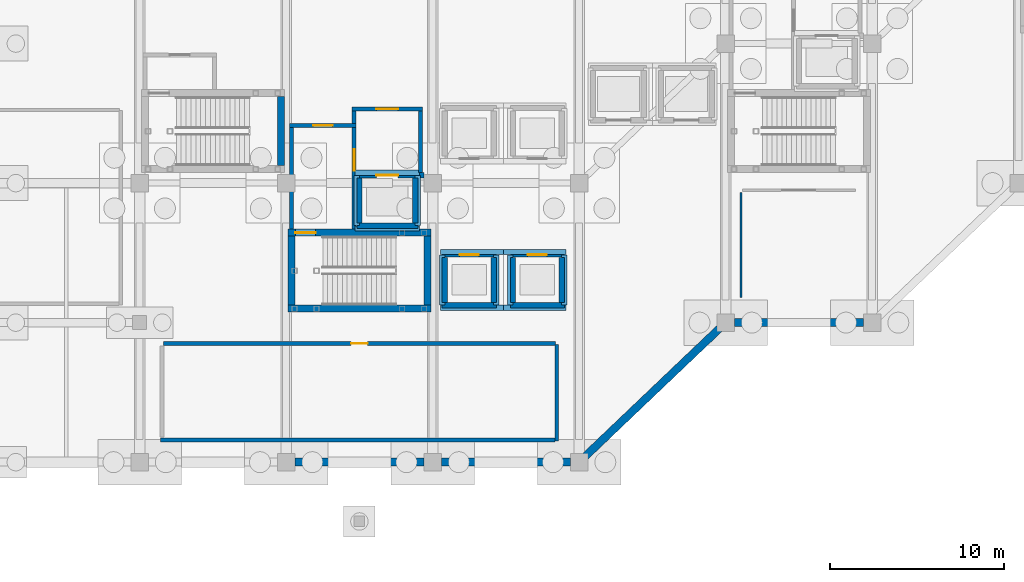
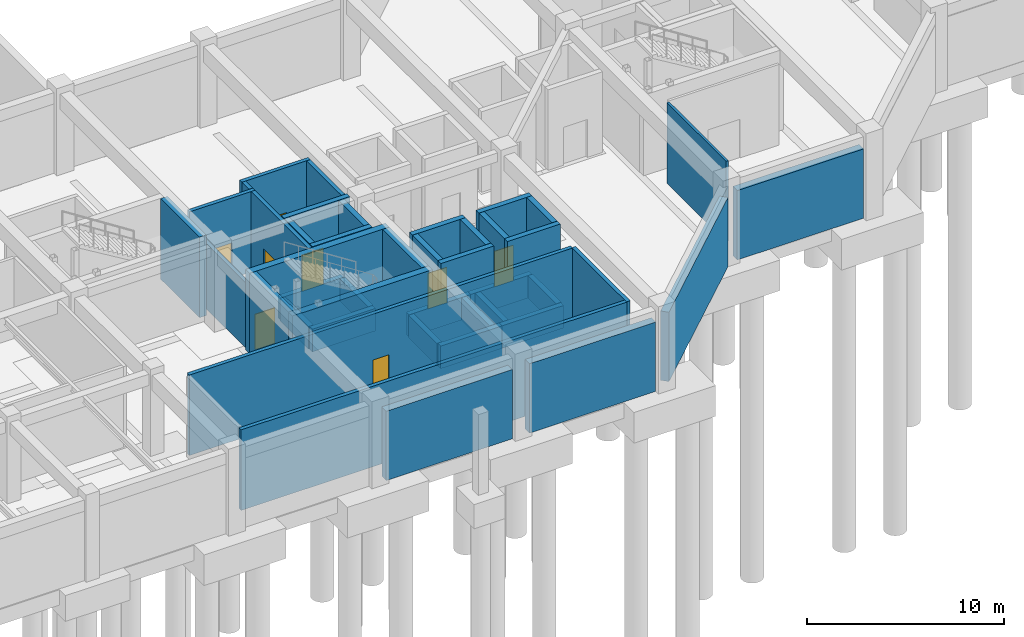
# One storey, part 41 of 56: 43 walls, 8 doors, 8 openings.
"""IFC4 building model written with IfcOpenShell, lengths in metres."""

from ifc_helpers import new_model, si_unit, direction, frame, frame_2d, origin, place, context, subcontext, project, spatial, rectangle, extrude, material, layer, layer_set, type_object, element, fill, save


model = new_model("IFC4")

# Units and contexts
model_context = context("Model", 3, precision=1e-05, world=origin(), true_north=direction((0.0, 1.0)))
body_context = subcontext(model_context, "Body", "Model", "MODEL_VIEW")
ifc_project = project(units=[si_unit("LENGTHUNIT", "METRE"), si_unit("AREAUNIT", "SQUARE_METRE"), si_unit("VOLUMEUNIT", "CUBIC_METRE"), si_unit("PLANEANGLEUNIT", "RADIAN"), si_unit("MASSUNIT", "GRAM", prefix="KILO")], contexts=[model_context])

# Site, building, storey
site_placement = place(None, origin())
site = spatial("IfcSite", under=ifc_project, at=site_placement, CompositionType="ELEMENT")
building_placement = place(site_placement, origin())
building = spatial("IfcBuilding", under=site, at=building_placement, Name="Naruveol Harbour Congress Hotel", CompositionType="ELEMENT")
storey_placement = place(building_placement, frame((0.0, 0.0, -5.39990234375)))
storey = spatial("IfcBuildingStorey", under=building, at=storey_placement, Name="B01", CompositionType="ELEMENT", Elevation=-5.39990234375)

# Walls
ifc_material_1 = material(Name="Acoustic Double Stud Gypsum", Category="gypsum")
ifc_layer_1 = layer(ifc_material_1, 0.139892578125)
ifc_layer_set_1 = layer_set([ifc_layer_1], Name="Acoustic Double Stud Gypsum")
wall_type_1 = type_object("IfcWallType", Name="ACOUSTIC MEETING PARTITION WALL 140", PredefinedType="PARTITIONING", material=ifc_layer_set_1)
wall_1_placement = place(storey_placement, frame((152.080078125, 9.449951171875, 0.0), z_axis=(0.0, 0.0, 1.0), x_axis=(0.0, 1.0, 0.0)))
element("IfcWall", 1, at=wall_1_placement, inside=storey, type_object=wall_type_1, Name="Uniform and Staff Dining Room west partition PW-140", PredefinedType="PARTITIONING", context=body_context, shape_type="SweptSolid", body=[
    extrude(rectangle(XDim=6.010009765625, YDim=0.139892578125, at=frame_2d((3.0048828125, 0.0))), origin(), (0.0, 0.0, 1.0), 4.994873046875),
])
ifc_material_2 = material(Name="Concrete C40/50", Category="concrete")
ifc_layer_2 = layer(ifc_material_2, 0.219970703125)
ifc_layer_set_2 = layer_set([ifc_layer_2], Name="Concrete C40/50")
wall_type_2 = type_object("IfcWallType", Name="FIRE COMPARTMENT AND LOBBY WALL 220 EI120", PredefinedType="PARTITIONING", material=ifc_layer_set_2)
wall_2_placement = place(storey_placement, frame((126.300048828125, 13.364990234375, 0.0), z_axis=(0.0, 0.0, 1.0), x_axis=(0.0, 1.0, 0.0)))
element("IfcWall", 2, at=wall_2_placement, inside=storey, type_object=wall_type_2, Name="Smoke vestibule ST1 west wall FW-220", PredefinedType="PARTITIONING", context=body_context, shape_type="SweptSolid", body=[
    extrude(rectangle(XDim=5.820068359375, YDim=0.219970703125, at=frame_2d((2.91015625, 0.0))), origin(), (0.0, 0.0, 1.0), 4.0498046875),
])

# Wall, opening, door
wall_3_placement = place(storey_placement, frame((126.18994140625, 19.300048828125, 0.0), z_axis=(0.0, 0.0, 1.0), x_axis=(1.0, 0.0, 0.0)))
wall_3 = element("IfcWall", 3, at=wall_3_placement, inside=storey, type_object=wall_type_2, Name="Smoke vestibule ST1 north wall FW-220", PredefinedType="PARTITIONING", context=body_context, shape_type="SweptSolid", body=[
    extrude(rectangle(XDim=3.820068359375, YDim=0.219970703125, at=frame_2d((1.91015625, 0.0))), origin(), (0.0, 0.0, 1.0), 4.994873046875),
])
opening_1_placement = place(wall_3_placement, frame((1.35009765625, 0.0, 0.0)))
opening_1 = element("IfcOpeningElement", 4, at=opening_1_placement, cuts=wall_3, Name="Opening FD-ST1-V-B01", PredefinedType="OPENING", context=body_context, shape_type="SweptSolid", body=[
    extrude(rectangle(XDim=1.1201171875, YDim=2.199951171875, at=frame_2d((0.56005859375, 1.10009765625))), frame((0.0, 0.119873046875, 0.0), z_axis=(0.0, -1.0, 0.0), x_axis=(1.0, 0.0, 0.0)), (0.0, 0.0, 1.0), 0.239990234375),
])
ifc_material_3 = material(Name="Timber & Steel Acoustic Leaf", Category="steel")
door_type_1 = type_object("IfcDoorType", Name="VESTIBULE SMOKE CONTROL FIRE DOOR 1120X2200", OperationType="NOTDEFINED", PredefinedType="DOOR", material=ifc_material_3)
door_1_placement = place(opening_1_placement, origin())
door_1 = element("IfcDoor", 5, at=door_1_placement, inside=storey, type_object=door_type_1, Name="Smoke Vestibule Entry Door ST1 B01", OperationType="SINGLE_SWING_LEFT", OverallHeight=2.199951171875, OverallWidth=1.1201171875, PredefinedType="DOOR", context=body_context, shape_type="SweptSolid", body=[
    extrude(rectangle(XDim=1.1201171875, YDim=2.199951171875, at=frame_2d((0.56005859375, 1.10009765625))), frame((0.0, 0.02490234375, 0.0), z_axis=(0.0, -1.0, 0.0), x_axis=(1.0, 0.0, 0.0)), (0.0, 0.0, 1.0), 0.050048828125),
])
fill(opening_1, door_1)

wall_4_placement = place(storey_placement, frame((129.89990234375, 13.364990234375, 0.0), z_axis=(0.0, 0.0, 1.0), x_axis=(0.0, 1.0, 0.0)))
wall_4 = element("IfcWall", 6, at=wall_4_placement, inside=storey, type_object=wall_type_2, Name="Smoke vestibule ST1 east wall FW-220", PredefinedType="PARTITIONING", context=body_context, shape_type="SweptSolid", body=[
    extrude(rectangle(XDim=5.820068359375, YDim=0.219970703125, at=frame_2d((2.91015625, 0.0))), origin(), (0.0, 0.0, 1.0), 4.994873046875),
])
opening_2_placement = place(wall_4_placement, frame((3.3349609375, 0.0, 0.0)))
opening_2 = element("IfcOpeningElement", 7, at=opening_2_placement, cuts=wall_4, Name="Opening FD-FFL-ST1-B01", PredefinedType="OPENING", context=body_context, shape_type="SweptSolid", body=[
    extrude(rectangle(XDim=1.239990234375, YDim=2.199951171875, at=frame_2d((0.6201171875, 1.10009765625))), frame((0.0, 0.119873046875, 0.0), z_axis=(0.0, -1.0, 0.0), x_axis=(1.0, 0.0, 0.0)), (0.0, 0.0, 1.0), 0.239990234375),
])
ifc_material_4 = material(Name="Timber & Steel Acoustic Leaf", Category="steel")
door_type_2 = type_object("IfcDoorType", Name="FIREFIGHTING LOBBY FIRE DOOR 1240X2200", OperationType="NOTDEFINED", PredefinedType="DOOR", material=ifc_material_4)
door_2_placement = place(opening_2_placement, origin())
door_2 = element("IfcDoor", 8, at=door_2_placement, inside=storey, type_object=door_type_2, Name="Firefighting Lobby Vestibule Door ST1 B01", OperationType="SINGLE_SWING_RIGHT", OverallHeight=2.199951171875, OverallWidth=1.239990234375, PredefinedType="DOOR", context=body_context, shape_type="SweptSolid", body=[
    extrude(rectangle(XDim=1.239990234375, YDim=2.199951171875, at=frame_2d((0.6201171875, 1.10009765625))), frame((0.0, 0.02490234375, 0.0), z_axis=(0.0, -1.0, 0.0), x_axis=(1.0, 0.0, 0.0)), (0.0, 0.0, 1.0), 0.050048828125),
])
fill(opening_2, door_2)

# Walls
wall_5_placement = place(storey_placement, frame((129.89990234375, 19.4150390625, 0.0), z_axis=(0.0, 0.0, 1.0), x_axis=(0.0, 1.0, 0.0)))
element("IfcWall", 9, at=wall_5_placement, inside=storey, type_object=wall_type_2, Name="Firefighting lift lobby ST1 upper west wall FW-220", PredefinedType="PARTITIONING", context=body_context, shape_type="SweptSolid", body=[
    extrude(rectangle(XDim=0.719970703125, YDim=0.219970703125, at=frame_2d((0.35986328125, 0.0))), origin(), (0.0, 0.0, 1.0), 4.994873046875),
])
wall_6_placement = place(storey_placement, frame((133.699951171875, 16.60498046875, 0.0), z_axis=(0.0, 0.0, 1.0), x_axis=(0.0, 1.0, 0.0)))
element("IfcWall", 10, at=wall_6_placement, inside=storey, type_object=wall_type_2, Name="Firefighting lift lobby ST1 east wall FW-220", PredefinedType="PARTITIONING", context=body_context, shape_type="SweptSolid", body=[
    extrude(rectangle(XDim=3.530029296875, YDim=0.219970703125, at=frame_2d((1.76513671875, 0.0))), origin(), (0.0, 0.0, 1.0), 4.994873046875),
])

# Wall, opening, door
wall_7_placement = place(storey_placement, frame((129.7900390625, 20.25, 0.0), z_axis=(0.0, 0.0, 1.0), x_axis=(1.0, 0.0, 0.0)))
wall_7 = element("IfcWall", 11, at=wall_7_placement, inside=storey, type_object=wall_type_2, Name="Firefighting lift lobby ST1 north wall FW-220", PredefinedType="PARTITIONING", context=body_context, shape_type="SweptSolid", body=[
    extrude(rectangle(XDim=4.02001953125, YDim=0.219970703125, at=frame_2d((2.010009765625, 0.0))), origin(), (0.0, 0.0, 1.0), 4.994873046875),
])
opening_3_placement = place(wall_7_placement, frame((1.389892578125, 0.0, 0.0)))
opening_3 = element("IfcOpeningElement", 12, at=opening_3_placement, cuts=wall_7, Name="Opening FD-FFC-ST1-B01", PredefinedType="OPENING", context=body_context, shape_type="SweptSolid", body=[
    extrude(rectangle(XDim=1.239990234375, YDim=2.199951171875, at=frame_2d((0.6201171875, 1.10009765625))), frame((0.0, 0.119873046875, 0.0), z_axis=(0.0, -1.0, 0.0), x_axis=(1.0, 0.0, 0.0)), (0.0, 0.0, 1.0), 0.239990234375),
])
door_3_placement = place(opening_3_placement, origin())
door_3 = element("IfcDoor", 13, at=door_3_placement, inside=storey, type_object=door_type_2, Name="Firefighting Lobby Corridor Door ST1 B01", OperationType="SINGLE_SWING_LEFT", OverallHeight=2.199951171875, OverallWidth=1.239990234375, PredefinedType="DOOR", context=body_context, shape_type="SweptSolid", body=[
    extrude(rectangle(XDim=1.239990234375, YDim=2.199951171875, at=frame_2d((0.6201171875, 1.10009765625))), frame((0.0, 0.02490234375, 0.0), z_axis=(0.0, -1.0, 0.0), x_axis=(1.0, 0.0, 0.0)), (0.0, 0.0, 1.0), 0.050048828125),
])
fill(opening_3, door_3)

wall_8_placement = place(storey_placement, frame((118.9599609375, 6.800048828125, 0.0), z_axis=(0.0, 0.0, 1.0), x_axis=(1.0, 0.0, 0.0)))
wall_8 = element("IfcWall", 14, at=wall_8_placement, inside=storey, type_object=wall_type_2, Name="Housekeeping and Linen Laundry north entry wall FW-220", PredefinedType="PARTITIONING", context=body_context, shape_type="SweptSolid", body=[
    extrude(rectangle(XDim=22.47998046875, YDim=0.219970703125, at=frame_2d((11.239990234375, 0.0))), origin(), (0.0, 0.0, 1.0), 4.994873046875),
])
opening_4_placement = place(wall_8_placement, frame((10.77001953125, 0.0, 0.0)))
opening_4 = element("IfcOpeningElement", 15, at=opening_4_placement, cuts=wall_8, Name="Opening FD-ST-11", PredefinedType="OPENING", context=body_context, shape_type="SweptSolid", body=[
    extrude(rectangle(XDim=0.93994140625, YDim=2.14990234375, at=frame_2d((0.469970703125, 1.074951171875))), frame((0.0, 0.119873046875, 0.0), z_axis=(0.0, -1.0, 0.0), x_axis=(1.0, 0.0, 0.0)), (0.0, 0.0, 1.0), 0.239990234375),
])
ifc_material_5 = material(Name="Timber & Steel Acoustic Leaf", Category="steel")
door_type_3 = type_object("IfcDoorType", Name="HOUSEKEEPING AND STORE FIRE DOOR 940X2150", OperationType="NOTDEFINED", PredefinedType="DOOR", material=ifc_material_5)
door_4_placement = place(opening_4_placement, origin())
door_4 = element("IfcDoor", 16, at=door_4_placement, inside=storey, type_object=door_type_3, Name="Housekeeping and Linen Laundry Fire Door", OperationType="SINGLE_SWING_RIGHT", OverallHeight=2.14990234375, OverallWidth=0.93994140625, PredefinedType="DOOR", context=body_context, shape_type="SweptSolid", body=[
    extrude(rectangle(XDim=0.93994140625, YDim=2.14990234375, at=frame_2d((0.469970703125, 1.074951171875))), frame((0.0, 0.02490234375, 0.0), z_axis=(0.0, -1.0, 0.0), x_axis=(1.0, 0.0, 0.0)), (0.0, 0.0, 1.0), 0.050048828125),
])
fill(opening_4, door_4)

# Walls
wall_9_placement = place(storey_placement, frame((141.52001953125, 1.199951171875, 0.0), z_axis=(0.0, 0.0, 1.0), x_axis=(0.0, 1.0, 0.0)))
element("IfcWall", 17, at=wall_9_placement, inside=storey, type_object=wall_type_2, Name="Housekeeping and Linen Laundry east enclosure partition FW-220", PredefinedType="PARTITIONING", context=body_context, shape_type="SweptSolid", body=[
    extrude(rectangle(XDim=5.548095703125, YDim=0.219970703125, at=frame_2d((2.77392578125, 0.0))), origin(), (0.0, 0.0, 1.0), 4.994873046875),
])
wall_10_placement = place(storey_placement, frame((118.800048828125, 1.280029296875, 0.0), z_axis=(0.0, 0.0, 1.0), x_axis=(1.0, 0.0, 0.0)))
element("IfcWall", 18, at=wall_10_placement, inside=storey, type_object=wall_type_2, Name="Housekeeping and Linen Laundry south enclosure partition FW-220", PredefinedType="PARTITIONING", context=body_context, shape_type="SweptSolid", body=[
    extrude(rectangle(XDim=22.60986328125, YDim=0.219970703125, at=frame_2d((11.304931640625, 0.0))), origin(), (0.0, 0.0, 1.0), 4.994873046875),
])
ifc_material_6 = material(Name="Concrete C40/50", Category="concrete")
ifc_layer_3 = layer(ifc_material_6, 0.449951171875)
ifc_layer_set_3 = layer_set([ifc_layer_3], Name="Concrete C40/50")
wall_type_3 = type_object("IfcWallType", Name="RC BASEMENT RETAINING WALL 450", PredefinedType="USERDEFINED", material=ifc_layer_set_3)
wall_11_placement = place(storey_placement, frame((133.89990234375, 0.0, 0.0), z_axis=(0.0, 0.0, 1.0), x_axis=(-1.0, 0.0, 0.0)))
element("IfcWall", 19, at=wall_11_placement, inside=storey, type_object=wall_type_3, Name="Hotel basement south wall RW-450", ObjectType="RETAININGWALL", PredefinedType="USERDEFINED", context=body_context, shape_type="SweptSolid", body=[
    extrude(rectangle(XDim=7.39990234375, YDim=0.449951171875, at=frame_2d((3.699951171875, 0.0))), origin(), (0.0, 0.0, 1.0), 4.2998046875),
])
wall_12_placement = place(storey_placement, frame((142.300048828125, 0.0, 0.0), z_axis=(0.0, 0.0, 1.0), x_axis=(-1.0, 0.0, 0.0)))
element("IfcWall", 20, at=wall_12_placement, inside=storey, type_object=wall_type_3, Name="Hotel basement south wall RW-450", ObjectType="RETAININGWALL", PredefinedType="USERDEFINED", context=body_context, shape_type="SweptSolid", body=[
    extrude(rectangle(XDim=7.400146484375, YDim=0.449951171875, at=frame_2d((3.7001953125, 0.0))), origin(), (0.0, 0.0, 1.0), 4.2998046875),
])
wall_13_placement = place(storey_placement, frame((150.837890625, 7.655029296875, 0.0), z_axis=(0.0, 0.0, 1.0), x_axis=(-0.724147790376, -0.689644819957, 0.0)))
element("IfcWall", 21, at=wall_13_placement, inside=storey, type_object=wall_type_3, Name="Hotel basement south wall RW-450", ObjectType="RETAININGWALL", PredefinedType="USERDEFINED", context=body_context, shape_type="SweptSolid", body=[
    extrude(rectangle(XDim=10.599853515625, YDim=0.449951171875, at=frame_2d((5.2998046875, 0.0))), origin(), (0.0, 0.0, 1.0), 4.2998046875),
])
wall_14_placement = place(storey_placement, frame((159.10009765625, 8.0, 0.0), z_axis=(0.0, 0.0, 1.0), x_axis=(-1.0, 0.0, 0.0)))
element("IfcWall", 22, at=wall_14_placement, inside=storey, type_object=wall_type_3, Name="Hotel basement south wall RW-450", ObjectType="RETAININGWALL", PredefinedType="USERDEFINED", context=body_context, shape_type="SweptSolid", body=[
    extrude(rectangle(XDim=7.400146484375, YDim=0.449951171875, at=frame_2d((3.7001953125, 0.0))), origin(), (0.0, 0.0, 1.0), 4.2998046875),
])
ifc_material_7 = material(Name="Concrete C50/60", Category="concrete")
ifc_layer_4 = layer(ifc_material_7, 0.39990234375)
ifc_layer_set_4 = layer_set([ifc_layer_4], Name="Concrete C50/60")
wall_type_4 = type_object("IfcWallType", Name="RC CORE SHEAR WALL 400 EI120", PredefinedType="SHEAR", material=ifc_layer_set_4)
wall_15_placement = place(storey_placement, frame((126.10009765625, 8.800048828125, 0.0), z_axis=(0.0, 0.0, 1.0), x_axis=(1.0, 0.0, 0.0)))
element("IfcWall", 23, at=wall_15_placement, inside=storey, type_object=wall_type_4, Name="Stair ST1 south core wall CW-400", PredefinedType="SHEAR", context=body_context, shape_type="SweptSolid", body=[
    extrude(rectangle(XDim=8.199951171875, YDim=0.39990234375, at=frame_2d((4.10009765625, 0.0))), origin(), (0.0, 0.0, 1.0), 4.994873046875),
])
wall_16_placement = place(storey_placement, frame((134.10009765625, 9.0048828125, 0.0), z_axis=(0.0, 0.0, 1.0), x_axis=(0.0, 1.0, 0.0)))
element("IfcWall", 24, at=wall_16_placement, inside=storey, type_object=wall_type_4, Name="Stair ST1 east core wall CW-400", PredefinedType="SHEAR", context=body_context, shape_type="SweptSolid", body=[
    extrude(rectangle(XDim=3.9501953125, YDim=0.39990234375, at=frame_2d((1.97509765625, 0.0))), origin(), (0.0, 0.0, 1.0), 4.994873046875),
])

# Wall, opening, door
wall_17_placement = place(storey_placement, frame((126.10009765625, 13.159912109375, 0.0), z_axis=(0.0, 0.0, 1.0), x_axis=(1.0, 0.0, 0.0)))
wall_17 = element("IfcWall", 25, at=wall_17_placement, inside=storey, type_object=wall_type_4, Name="Stair ST1 north core wall CW-400", PredefinedType="SHEAR", context=body_context, shape_type="SweptSolid", body=[
    extrude(rectangle(XDim=8.199951171875, YDim=0.39990234375, at=frame_2d((4.10009765625, 0.0))), origin(), (0.0, 0.0, 1.0), 4.994873046875),
])
opening_5_placement = place(wall_17_placement, frame((0.429931640625, 0.0, 0.0)))
opening_5 = element("IfcOpeningElement", 26, at=opening_5_placement, cuts=wall_17, Name="Opening FD-ST1-S-B01", PredefinedType="OPENING", context=body_context, shape_type="SweptSolid", body=[
    extrude(rectangle(XDim=1.159912109375, YDim=2.199951171875, at=frame_2d((0.580078125, 1.10009765625))), frame((0.0, 0.2099609375, 0.0), z_axis=(0.0, -1.0, 0.0), x_axis=(1.0, 0.0, 0.0)), (0.0, 0.0, 1.0), 0.419921875),
])
ifc_material_8 = material(Name="Timber & Steel Acoustic Leaf", Category="steel")
door_type_4 = type_object("IfcDoorType", Name="SPECIAL ESCAPE STAIR FIRE DOOR 1160X2200", OperationType="NOTDEFINED", PredefinedType="DOOR", material=ifc_material_8)
door_5_placement = place(opening_5_placement, origin())
door_5 = element("IfcDoor", 27, at=door_5_placement, inside=storey, type_object=door_type_4, Name="Special Escape Stair Door ST1 B01", OperationType="SINGLE_SWING_RIGHT", OverallHeight=2.199951171875, OverallWidth=1.159912109375, PredefinedType="DOOR", context=body_context, shape_type="SweptSolid", body=[
    extrude(rectangle(XDim=1.159912109375, YDim=2.199951171875, at=frame_2d((0.580078125, 1.10009765625))), frame((0.0, 0.02490234375, 0.0), z_axis=(0.0, -1.0, 0.0), x_axis=(1.0, 0.0, 0.0)), (0.0, 0.0, 1.0), 0.050048828125),
])
fill(opening_5, door_5)

# Walls
for number, where, z_axis, x_axis, name in (
    (28, (126.300048828125, 9.0048828125, 0.0), (0.0, 0.0, 1.0), (0.0, 1.0, 0.0), "Stair ST1 west core wall CW-400"),
    (29, (125.699951171875, 17.0048828125, 0.0), (0.0, 0.0, 1.0), (0.0, 1.0, 0.0), "Stair ST3 east core wall CW-400"),
):
    element("IfcWall", number, at=place(storey_placement, frame(where, z_axis=z_axis, x_axis=x_axis)), inside=storey, type_object=wall_type_4, Name=name, PredefinedType="SHEAR", context=body_context, shape_type="SweptSolid", body=[
        extrude(rectangle(XDim=3.9501953125, YDim=0.39990234375, at=frame_2d((1.97509765625, 0.0))), origin(), (0.0, 0.0, 1.0), 4.994873046875),
    ])
ifc_material_9 = material(Name="Concrete C40/50", Category="concrete")
ifc_layer_5 = layer(ifc_material_9, 0.300048828125)
ifc_layer_set_5 = layer_set([ifc_layer_5], Name="Concrete C40/50")
wall_type_5 = type_object("IfcWallType", Name="RC LIFT PIT RETAINING WALL 300", PredefinedType="USERDEFINED", material=ifc_layer_set_5)
wall_18_placement = place(storey_placement, frame((134.85009765625, 8.85009765625, -1.400146484375), z_axis=(0.0, 0.0, 1.0), x_axis=(1.0, 0.0, 0.0)))
element("IfcWall", 30, at=wall_18_placement, inside=storey, type_object=wall_type_5, Name="Lift pit wall PL3 #1", ObjectType="RETAININGWALL", PredefinedType="USERDEFINED", context=body_context, shape_type="SweptSolid", body=[
    extrude(rectangle(XDim=3.599853515625, YDim=0.300048828125, at=frame_2d((1.7998046875, 0.0))), origin(), (0.0, 0.0, 1.0), 1.400146484375),
])
wall_19_placement = place(storey_placement, frame((138.050048828125, 9.010009765625, -1.400146484375), z_axis=(0.0, 0.0, 1.0), x_axis=(0.0, 1.0, 0.0)))
element("IfcWall", 31, at=wall_19_placement, inside=storey, type_object=wall_type_5, Name="Lift pit wall PL3 #2", ObjectType="RETAININGWALL", PredefinedType="USERDEFINED", context=body_context, shape_type="SweptSolid", body=[
    extrude(rectangle(XDim=2.8798828125, YDim=0.300048828125, at=frame_2d((1.43994140625, 0.0))), origin(), (0.0, 0.0, 1.0), 1.400146484375),
])
wall_20_placement = place(storey_placement, frame((138.449951171875, 12.050048828125, -1.400146484375), z_axis=(0.0, 0.0, 1.0), x_axis=(-1.0, 0.0, 0.0)))
element("IfcWall", 32, at=wall_20_placement, inside=storey, type_object=wall_type_5, Name="Lift pit wall PL3 #3", ObjectType="RETAININGWALL", PredefinedType="USERDEFINED", context=body_context, shape_type="SweptSolid", body=[
    extrude(rectangle(XDim=3.599853515625, YDim=0.300048828125, at=frame_2d((1.7998046875, 0.0))), origin(), (0.0, 0.0, 1.0), 1.400146484375),
])
wall_21_placement = place(storey_placement, frame((134.949951171875, 11.889892578125, -1.400146484375), z_axis=(0.0, 0.0, 1.0), x_axis=(0.0, -1.0, 0.0)))
element("IfcWall", 33, at=wall_21_placement, inside=storey, type_object=wall_type_5, Name="Lift pit wall PL3 #4", ObjectType="RETAININGWALL", PredefinedType="USERDEFINED", context=body_context, shape_type="SweptSolid", body=[
    extrude(rectangle(XDim=2.8798828125, YDim=0.300048828125, at=frame_2d((1.43994140625, 0.0))), origin(), (0.0, 0.0, 1.0), 1.400146484375),
])
wall_22_placement = place(storey_placement, frame((138.449951171875, 8.85009765625, -1.400146484375), z_axis=(0.0, 0.0, 1.0), x_axis=(1.0, 0.0, 0.0)))
element("IfcWall", 34, at=wall_22_placement, inside=storey, type_object=wall_type_5, Name="Lift pit wall PL4 #1", ObjectType="RETAININGWALL", PredefinedType="USERDEFINED", context=body_context, shape_type="SweptSolid", body=[
    extrude(rectangle(XDim=3.60009765625, YDim=0.300048828125, at=frame_2d((1.800048828125, 0.0))), origin(), (0.0, 0.0, 1.0), 1.400146484375),
])
wall_23_placement = place(storey_placement, frame((141.949951171875, 9.010009765625, -1.400146484375), z_axis=(0.0, 0.0, 1.0), x_axis=(0.0, 1.0, 0.0)))
element("IfcWall", 35, at=wall_23_placement, inside=storey, type_object=wall_type_5, Name="Lift pit wall PL4 #2", ObjectType="RETAININGWALL", PredefinedType="USERDEFINED", context=body_context, shape_type="SweptSolid", body=[
    extrude(rectangle(XDim=2.8798828125, YDim=0.300048828125, at=frame_2d((1.43994140625, 0.0))), origin(), (0.0, 0.0, 1.0), 1.400146484375),
])
wall_24_placement = place(storey_placement, frame((142.050048828125, 12.050048828125, -1.400146484375), z_axis=(0.0, 0.0, 1.0), x_axis=(-1.0, 0.0, 0.0)))
element("IfcWall", 36, at=wall_24_placement, inside=storey, type_object=wall_type_5, Name="Lift pit wall PL4 #3", ObjectType="RETAININGWALL", PredefinedType="USERDEFINED", context=body_context, shape_type="SweptSolid", body=[
    extrude(rectangle(XDim=3.60009765625, YDim=0.300048828125, at=frame_2d((1.800048828125, 0.0))), origin(), (0.0, 0.0, 1.0), 1.400146484375),
])
wall_25_placement = place(storey_placement, frame((138.85009765625, 11.889892578125, -1.400146484375), z_axis=(0.0, 0.0, 1.0), x_axis=(0.0, -1.0, 0.0)))
element("IfcWall", 37, at=wall_25_placement, inside=storey, type_object=wall_type_5, Name="Lift pit wall PL4 #4", ObjectType="RETAININGWALL", PredefinedType="USERDEFINED", context=body_context, shape_type="SweptSolid", body=[
    extrude(rectangle(XDim=2.8798828125, YDim=0.300048828125, at=frame_2d((1.43994140625, 0.0))), origin(), (0.0, 0.0, 1.0), 1.400146484375),
])
wall_26_placement = place(storey_placement, frame((129.949951171875, 13.39990234375, -1.400146484375), z_axis=(0.0, 0.0, 1.0), x_axis=(1.0, 0.0, 0.0)))
element("IfcWall", 38, at=wall_26_placement, inside=storey, type_object=wall_type_5, Name="Lift pit wall FL1 #1", ObjectType="RETAININGWALL", PredefinedType="USERDEFINED", context=body_context, shape_type="SweptSolid", body=[
    extrude(rectangle(XDim=3.699951171875, YDim=0.300048828125, at=frame_2d((1.85009765625, 0.0))), origin(), (0.0, 0.0, 1.0), 1.400146484375),
])
wall_27_placement = place(storey_placement, frame((133.550048828125, 13.56005859375, -1.400146484375), z_axis=(0.0, 0.0, 1.0), x_axis=(0.0, 1.0, 0.0)))
element("IfcWall", 39, at=wall_27_placement, inside=storey, type_object=wall_type_5, Name="Lift pit wall FL1 #2", ObjectType="RETAININGWALL", PredefinedType="USERDEFINED", context=body_context, shape_type="SweptSolid", body=[
    extrude(rectangle(XDim=2.8798828125, YDim=0.300048828125, at=frame_2d((1.43994140625, 0.0))), origin(), (0.0, 0.0, 1.0), 1.400146484375),
])
wall_28_placement = place(storey_placement, frame((133.64990234375, 16.60009765625, -1.400146484375), z_axis=(0.0, 0.0, 1.0), x_axis=(-1.0, 0.0, 0.0)))
element("IfcWall", 40, at=wall_28_placement, inside=storey, type_object=wall_type_5, Name="Lift pit wall FL1 #3", ObjectType="RETAININGWALL", PredefinedType="USERDEFINED", context=body_context, shape_type="SweptSolid", body=[
    extrude(rectangle(XDim=3.699951171875, YDim=0.300048828125, at=frame_2d((1.85009765625, 0.0))), origin(), (0.0, 0.0, 1.0), 1.400146484375),
])
wall_29_placement = place(storey_placement, frame((130.050048828125, 16.43994140625, -1.400146484375), z_axis=(0.0, 0.0, 1.0), x_axis=(0.0, -1.0, 0.0)))
element("IfcWall", 41, at=wall_29_placement, inside=storey, type_object=wall_type_5, Name="Lift pit wall FL1 #4", ObjectType="RETAININGWALL", PredefinedType="USERDEFINED", context=body_context, shape_type="SweptSolid", body=[
    extrude(rectangle(XDim=2.8798828125, YDim=0.300048828125, at=frame_2d((1.43994140625, 0.0))), origin(), (0.0, 0.0, 1.0), 1.400146484375),
])
ifc_material_10 = material(Name="Concrete C50/60", Category="concrete")
ifc_layer_6 = layer(ifc_material_10, 0.300048828125)
ifc_layer_set_6 = layer_set([ifc_layer_6], Name="Concrete C50/60")
wall_type_6 = type_object("IfcWallType", Name="RC STAIR AND HOISTWAY SHEAR WALL 300 EI120", PredefinedType="SHEAR", material=ifc_layer_set_6)
wall_30_placement = place(storey_placement, frame((134.949951171875, 9.0, 0.0), z_axis=(0.0, 0.0, 1.0), x_axis=(1.0, 0.0, 0.0)))
element("IfcWall", 42, at=wall_30_placement, inside=storey, type_object=wall_type_6, Name="Hoistway south shear wall PL3 SW-300", PredefinedType="SHEAR", context=body_context, shape_type="SweptSolid", body=[
    extrude(rectangle(XDim=3.10009765625, YDim=0.300048828125, at=frame_2d((1.550048828125, 0.0))), origin(), (0.0, 0.0, 1.0), 4.994873046875),
])
wall_31_placement = place(storey_placement, frame((137.89990234375, 9.155029296875, 0.0), z_axis=(0.0, 0.0, 1.0), x_axis=(0.0, 1.0, 0.0)))
element("IfcWall", 43, at=wall_31_placement, inside=storey, type_object=wall_type_6, Name="Hoistway east shear wall PL3 SW-300", PredefinedType="SHEAR", context=body_context, shape_type="SweptSolid", body=[
    extrude(rectangle(XDim=2.590087890625, YDim=0.300048828125, at=frame_2d((1.294921875, 0.0))), origin(), (0.0, 0.0, 1.0), 4.994873046875),
])

# Wall, opening, door
wall_32_placement = place(storey_placement, frame((138.050048828125, 11.89990234375, 0.0), z_axis=(0.0, 0.0, 1.0), x_axis=(-1.0, 0.0, 0.0)))
wall_32 = element("IfcWall", 44, at=wall_32_placement, inside=storey, type_object=wall_type_6, Name="Hoistway north shear wall PL3 SW-300", PredefinedType="SHEAR", context=body_context, shape_type="SweptSolid", body=[
    extrude(rectangle(XDim=3.10009765625, YDim=0.300048828125, at=frame_2d((1.550048828125, 0.0))), origin(), (0.0, 0.0, 1.0), 4.994873046875),
])
opening_6_placement = place(wall_32_placement, frame((1.0, 0.0, 0.0)))
opening_6 = element("IfcOpeningElement", 45, at=opening_6_placement, cuts=wall_32, Name="Opening LD-PL3-B01", PredefinedType="OPENING", context=body_context, shape_type="SweptSolid", body=[
    extrude(rectangle(XDim=1.10009765625, YDim=2.199951171875, at=frame_2d((0.550048828125, 1.10009765625))), frame((0.0, 0.159912109375, 0.0), z_axis=(0.0, -1.0, 0.0), x_axis=(1.0, 0.0, 0.0)), (0.0, 0.0, 1.0), 0.320068359375),
])
ifc_material_11 = material(Name="Stainless Steel Lift Door", Category="steel")
door_type_5 = type_object("IfcDoorType", Name="PASSENGER LIFT LANDING DOOR 1100X2200", OperationType="DOUBLE_DOOR_SLIDING", PredefinedType="DOOR", material=ifc_material_11)
door_6_placement = place(opening_6_placement, origin())
door_6 = element("IfcDoor", 46, at=door_6_placement, inside=storey, type_object=door_type_5, Name="Elevator Landing Door PL3 B01", OperationType="DOUBLE_DOOR_SLIDING", OverallHeight=2.199951171875, OverallWidth=1.10009765625, PredefinedType="DOOR", context=body_context, shape_type="SweptSolid", body=[
    extrude(rectangle(XDim=1.10009765625, YDim=2.199951171875, at=frame_2d((0.550048828125, 1.10009765625))), frame((0.0, 0.02490234375, 0.0), z_axis=(0.0, -1.0, 0.0), x_axis=(1.0, 0.0, 0.0)), (0.0, 0.0, 1.0), 0.050048828125),
])
fill(opening_6, door_6)

# Walls
wall_33_placement = place(storey_placement, frame((135.10009765625, 11.7451171875, 0.0), z_axis=(0.0, 0.0, 1.0), x_axis=(0.0, -1.0, 0.0)))
element("IfcWall", 47, at=wall_33_placement, inside=storey, type_object=wall_type_6, Name="Hoistway west shear wall PL3 SW-300", PredefinedType="SHEAR", context=body_context, shape_type="SweptSolid", body=[
    extrude(rectangle(XDim=2.590087890625, YDim=0.300048828125, at=frame_2d((1.294921875, 0.0))), origin(), (0.0, 0.0, 1.0), 4.994873046875),
])
wall_34_placement = place(storey_placement, frame((138.85009765625, 9.0, 0.0), z_axis=(0.0, 0.0, 1.0), x_axis=(1.0, 0.0, 0.0)))
element("IfcWall", 48, at=wall_34_placement, inside=storey, type_object=wall_type_6, Name="Hoistway south shear wall PL4 SW-300", PredefinedType="SHEAR", context=body_context, shape_type="SweptSolid", body=[
    extrude(rectangle(XDim=3.099853515625, YDim=0.300048828125, at=frame_2d((1.5498046875, 0.0))), origin(), (0.0, 0.0, 1.0), 4.994873046875),
])
wall_35_placement = place(storey_placement, frame((141.800048828125, 9.155029296875, 0.0), z_axis=(0.0, 0.0, 1.0), x_axis=(0.0, 1.0, 0.0)))
element("IfcWall", 49, at=wall_35_placement, inside=storey, type_object=wall_type_6, Name="Hoistway east shear wall PL4 SW-300", PredefinedType="SHEAR", context=body_context, shape_type="SweptSolid", body=[
    extrude(rectangle(XDim=2.590087890625, YDim=0.300048828125, at=frame_2d((1.294921875, 0.0))), origin(), (0.0, 0.0, 1.0), 4.994873046875),
])

# Wall, opening, door
wall_36_placement = place(storey_placement, frame((141.949951171875, 11.89990234375, 0.0), z_axis=(0.0, 0.0, 1.0), x_axis=(-1.0, 0.0, 0.0)))
wall_36 = element("IfcWall", 50, at=wall_36_placement, inside=storey, type_object=wall_type_6, Name="Hoistway north shear wall PL4 SW-300", PredefinedType="SHEAR", context=body_context, shape_type="SweptSolid", body=[
    extrude(rectangle(XDim=3.099853515625, YDim=0.300048828125, at=frame_2d((1.5498046875, 0.0))), origin(), (0.0, 0.0, 1.0), 4.994873046875),
])
opening_7_placement = place(wall_36_placement, frame((1.0, 0.0, 0.0)))
opening_7 = element("IfcOpeningElement", 51, at=opening_7_placement, cuts=wall_36, Name="Opening LD-PL4-B01", PredefinedType="OPENING", context=body_context, shape_type="SweptSolid", body=[
    extrude(rectangle(XDim=1.10009765625, YDim=2.199951171875, at=frame_2d((0.550048828125, 1.10009765625))), frame((0.0, 0.159912109375, 0.0), z_axis=(0.0, -1.0, 0.0), x_axis=(1.0, 0.0, 0.0)), (0.0, 0.0, 1.0), 0.320068359375),
])
door_7_placement = place(opening_7_placement, origin())
door_7 = element("IfcDoor", 52, at=door_7_placement, inside=storey, type_object=door_type_5, Name="Elevator Landing Door PL4 B01", OperationType="DOUBLE_DOOR_SLIDING", OverallHeight=2.199951171875, OverallWidth=1.10009765625, PredefinedType="DOOR", context=body_context, shape_type="SweptSolid", body=[
    extrude(rectangle(XDim=1.10009765625, YDim=2.199951171875, at=frame_2d((0.550048828125, 1.10009765625))), frame((0.0, 0.02490234375, 0.0), z_axis=(0.0, -1.0, 0.0), x_axis=(1.0, 0.0, 0.0)), (0.0, 0.0, 1.0), 0.050048828125),
])
fill(opening_7, door_7)

# Walls
wall_37_placement = place(storey_placement, frame((139.0, 11.7451171875, 0.0), z_axis=(0.0, 0.0, 1.0), x_axis=(0.0, -1.0, 0.0)))
element("IfcWall", 53, at=wall_37_placement, inside=storey, type_object=wall_type_6, Name="Hoistway west shear wall PL4 SW-300", PredefinedType="SHEAR", context=body_context, shape_type="SweptSolid", body=[
    extrude(rectangle(XDim=2.590087890625, YDim=0.300048828125, at=frame_2d((1.294921875, 0.0))), origin(), (0.0, 0.0, 1.0), 4.994873046875),
])
wall_38_placement = place(storey_placement, frame((130.050048828125, 13.550048828125, 0.0), z_axis=(0.0, 0.0, 1.0), x_axis=(1.0, 0.0, 0.0)))
element("IfcWall", 54, at=wall_38_placement, inside=storey, type_object=wall_type_6, Name="Hoistway south shear wall FL1 SW-300", PredefinedType="SHEAR", context=body_context, shape_type="SweptSolid", body=[
    extrude(rectangle(XDim=3.5, YDim=0.300048828125, at=frame_2d((1.75, 0.0))), origin(), (0.0, 0.0, 1.0), 4.994873046875),
])
wall_39_placement = place(storey_placement, frame((133.39990234375, 13.705078125, 0.0), z_axis=(0.0, 0.0, 1.0), x_axis=(0.0, 1.0, 0.0)))
element("IfcWall", 55, at=wall_39_placement, inside=storey, type_object=wall_type_6, Name="Hoistway east shear wall FL1 SW-300", PredefinedType="SHEAR", context=body_context, shape_type="SweptSolid", body=[
    extrude(rectangle(XDim=2.58984375, YDim=0.300048828125, at=frame_2d((1.294921875, 0.0))), origin(), (0.0, 0.0, 1.0), 4.994873046875),
])

# Wall, opening, door
wall_40_placement = place(storey_placement, frame((133.909912109375, 16.449951171875, 0.0), z_axis=(0.0, 0.0, 1.0), x_axis=(-1.0, 0.0, 0.0)))
wall_40 = element("IfcWall", 56, at=wall_40_placement, inside=storey, type_object=wall_type_6, Name="Hoistway north shear wall FL1 SW-300", PredefinedType="SHEAR", context=body_context, shape_type="SweptSolid", body=[
    extrude(rectangle(XDim=3.85986328125, YDim=0.300048828125, at=frame_2d((1.929931640625, 0.0))), origin(), (0.0, 0.0, 1.0), 4.994873046875),
])
opening_8_placement = place(wall_40_placement, frame((1.485107421875, 0.0, 0.0)))
opening_8 = element("IfcOpeningElement", 57, at=opening_8_placement, cuts=wall_40, Name="Opening LD-FL1-B01", PredefinedType="OPENING", context=body_context, shape_type="SweptSolid", body=[
    extrude(rectangle(XDim=1.25, YDim=2.25, at=frame_2d((0.625, 1.125))), frame((0.0, 0.159912109375, 0.0), z_axis=(0.0, -1.0, 0.0), x_axis=(1.0, 0.0, 0.0)), (0.0, 0.0, 1.0), 0.320068359375),
])
ifc_material_12 = material(Name="Stainless Steel Lift Door", Category="steel")
door_type_6 = type_object("IfcDoorType", Name="FIREFIGHTING LIFT LANDING DOOR 1250X2250", OperationType="DOUBLE_DOOR_SLIDING", PredefinedType="DOOR", material=ifc_material_12)
door_8_placement = place(opening_8_placement, origin())
door_8 = element("IfcDoor", 58, at=door_8_placement, inside=storey, type_object=door_type_6, Name="Elevator Landing Door FL1 B01", OperationType="DOUBLE_DOOR_SLIDING", OverallHeight=2.25, OverallWidth=1.25, PredefinedType="DOOR", context=body_context, shape_type="SweptSolid", body=[
    extrude(rectangle(XDim=1.25, YDim=2.25, at=frame_2d((0.625, 1.125))), frame((0.0, 0.02490234375, 0.0), z_axis=(0.0, -1.0, 0.0), x_axis=(1.0, 0.0, 0.0)), (0.0, 0.0, 1.0), 0.050048828125),
])
fill(opening_8, door_8)

# Wall
wall_41_placement = place(storey_placement, frame((130.199951171875, 16.294921875, 0.0), z_axis=(0.0, 0.0, 1.0), x_axis=(0.0, -1.0, 0.0)))
element("IfcWall", 59, at=wall_41_placement, inside=storey, type_object=wall_type_6, Name="Hoistway west shear wall FL1 SW-300", PredefinedType="SHEAR", context=body_context, shape_type="SweptSolid", body=[
    extrude(rectangle(XDim=2.58984375, YDim=0.300048828125, at=frame_2d((1.294921875, 0.0))), origin(), (0.0, 0.0, 1.0), 4.994873046875),
])

save(model, "model.ifc")
